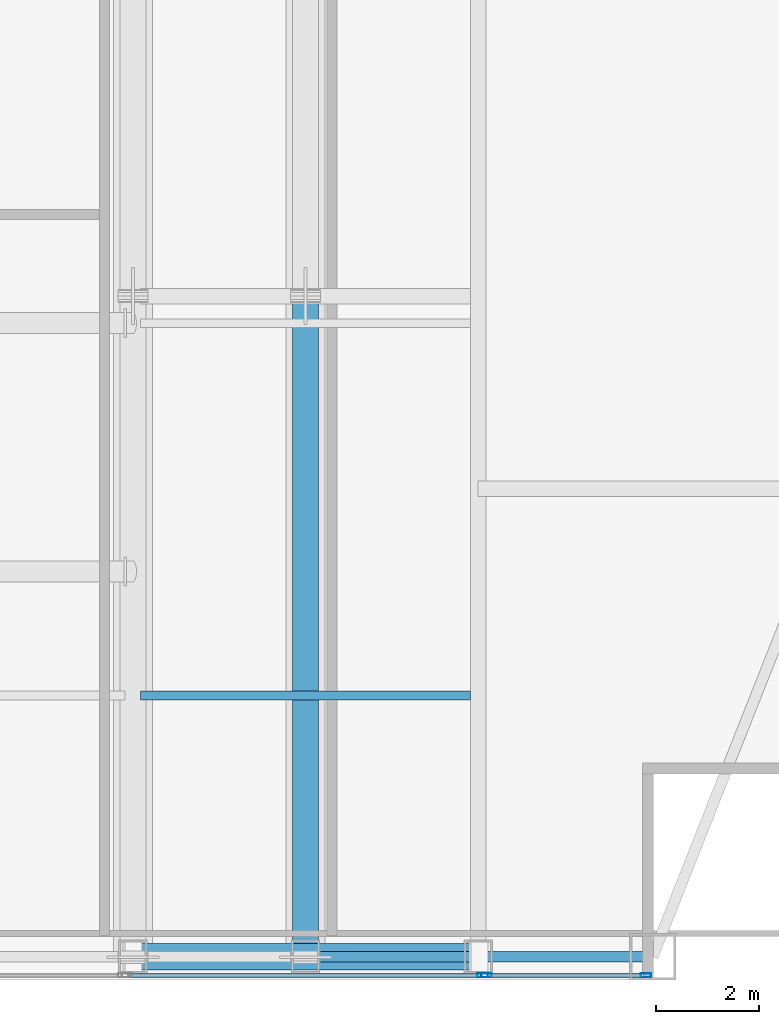
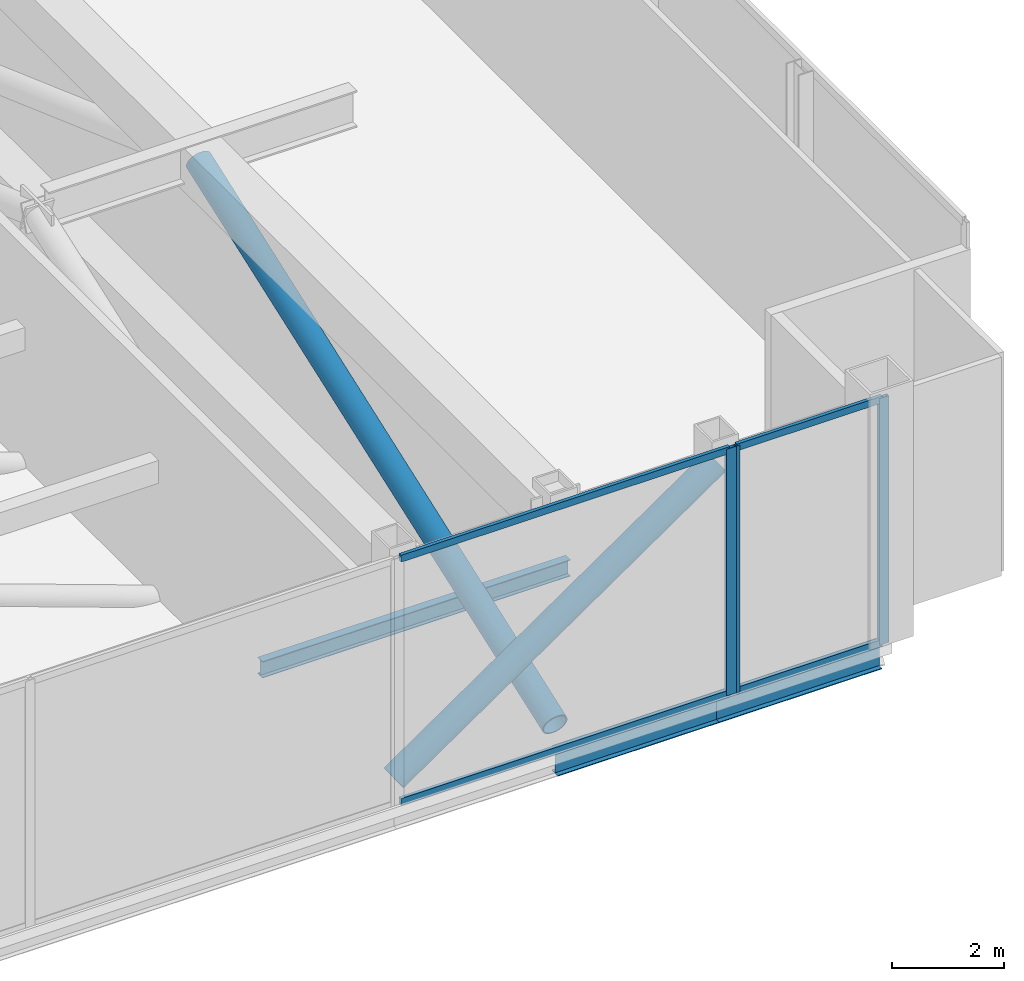
# One storey, part 13 of 26: 9 members, 3 beams, 2 elements without a shape of their own.
"""IFC4 building model written with IfcOpenShell, lengths in metres."""

from ifc_helpers import new_model, si_unit, direction, frame, origin, origin_2d, place, context, subcontext, project, spatial, hollow_rectangle, hollow_circle, i_section, extrude, material, material_profile, profile_set, type_object, element, aggregate, save


model = new_model("IFC4")

# Units and contexts
model_context = context("Model", 3, precision=1e-05, world=origin(), true_north=direction((0.0, 1.0)))
body_context = subcontext(model_context, "Body", "Model", "MODEL_VIEW")
ifc_project = project(units=[si_unit("LENGTHUNIT", "METRE"), si_unit("AREAUNIT", "SQUARE_METRE"), si_unit("VOLUMEUNIT", "CUBIC_METRE"), si_unit("PLANEANGLEUNIT", "RADIAN"), si_unit("MASSUNIT", "GRAM", prefix="KILO")], contexts=[model_context])

# Site, building, storey
site_placement = place(None, origin())
site = spatial("IfcSite", under=ifc_project, at=site_placement, CompositionType="ELEMENT")
building_placement = place(site_placement, origin())
building = spatial("IfcBuilding", under=site, at=building_placement, Name="Khoronbel Lancet Exchange", CompositionType="ELEMENT")
storey_placement = place(building_placement, frame((0.0, 0.0, 350.60009765625)))
storey = spatial("IfcBuildingStorey", under=building, at=storey_placement, Name="L91", CompositionType="ELEMENT", Elevation=350.60009765625)

# Beams
ifc_material_1 = material(Name="Steel S355", Category="steel")
ifc_material_profile_1 = material_profile(ifc_material_1, i_section(OverallWidth=0.169921875, OverallDepth=0.360107421875, WebThickness=0.008056640625, FlangeThickness=0.0126953125, at=origin_2d()), Name="IPE 360")
ifc_profile_set_1 = profile_set([ifc_material_profile_1], Name="Steel S355")
beam_type_1 = type_object("IfcBeamType", Name="BM-BJ6", PredefinedType="JOIST", material=ifc_profile_set_1)
beam_1_placement = place(storey_placement, frame((48.14990234375, 15.199951171875, -0.400146484375), z_axis=(1.0, 0.0, 0.0), x_axis=(0.0, 1.0, 0.0)))
element("IfcBeam", 1, at=beam_1_placement, inside=storey, type_object=beam_type_1, Name="Level L91 secondary composite joist J03", PredefinedType="JOIST", context=body_context, shape_type="SweptSolid", body=[
    extrude(i_section(OverallWidth=0.169921875, OverallDepth=0.360107421875, WebThickness=0.008056640625, FlangeThickness=0.0126953125, at=origin_2d()), origin(), (0.0, 0.0, 1.0), 6.375),
])
ifc_material_profile_2 = material_profile(ifc_material_1, i_section(OverallWidth=0.2099609375, OverallDepth=0.550048828125, WebThickness=0.010986328125, FlangeThickness=0.01708984375, at=origin_2d()), Name="IPE 550")
ifc_profile_set_2 = profile_set([ifc_material_profile_2], Name="Steel S355")
beam_type_2 = type_object("IfcBeamType", Name="BM-BSP3", PredefinedType="SPANDREL", material=ifc_profile_set_2)
beam_2_placement = place(storey_placement, frame((51.33740234375, 10.14990234375, -0.4951171875), z_axis=(1.0, 0.0, 0.0), x_axis=(0.0, 1.0, 0.0)))
element("IfcBeam", 2, at=beam_2_placement, inside=storey, type_object=beam_type_2, Name="Level L91 perimeter spandrel beam SP06", PredefinedType="SPANDREL", context=body_context, shape_type="SweptSolid", body=[
    extrude(i_section(OverallWidth=0.2099609375, OverallDepth=0.550048828125, WebThickness=0.010986328125, FlangeThickness=0.01708984375, at=origin_2d()), origin(), (0.0, 0.0, 1.0), 3.337646484375),
])
beam_3_placement = place(storey_placement, frame((54.675048828125, 10.14990234375, -0.4951171875), z_axis=(1.0, 0.0, 0.0), x_axis=(0.0, 1.0, 0.0)))
element("IfcBeam", 3, at=beam_3_placement, inside=storey, type_object=beam_type_2, Name="Level L91 perimeter spandrel beam SP07", PredefinedType="SPANDREL", context=body_context, shape_type="SweptSolid", body=[
    extrude(i_section(OverallWidth=0.2099609375, OverallDepth=0.550048828125, WebThickness=0.010986328125, FlangeThickness=0.01708984375, at=origin_2d()), origin(), (0.0, 0.0, 1.0), 3.375),
])

# Curtain wall, member
ifc_material_2 = material(Name="Low-E Solar Control Insulating Glass", Category="glass")
curtain_wall_type = type_object("IfcCurtainWallType", Name="CW-6", PredefinedType="NOTDEFINED", material=ifc_material_2)
curtain_wall_1_placement = place(storey_placement, origin())
curtain_wall_1 = element("IfcCurtainWall", 4, at=curtain_wall_1_placement, inside=storey, type_object=curtain_wall_type, Name="Unitised curtain wall CW-L91-SE-BLT", PredefinedType="NOTDEFINED")
ifc_material_3 = material(Name="Bronze-Anodised Aluminium 6063-T6", Category="aluminium")
ifc_material_profile_3 = material_profile(ifc_material_3, hollow_rectangle(XDim=0.074951171875, YDim=0.199951171875, WallThickness=0.0048828125, at=origin_2d()), Name="ALU MULLION 75x200")
ifc_profile_set_3 = profile_set([ifc_material_profile_3], Name="Bronze-Anodised Aluminium 6063-T6")
member_type_1 = type_object("IfcMemberType", Name="MEM-CWM2", PredefinedType="MULLION", material=ifc_profile_set_3)
member_1_placement = place(storey_placement, frame((54.762451171875, 9.7900390625, 0.0), z_axis=(0.0, 0.0, 1.0), x_axis=(0.0, 1.0, 0.0)))
member_1 = element("IfcMember", 5, at=member_1_placement, type_object=member_type_1, Name="CW6 mullion 2", PredefinedType="MULLION", context=body_context, shape_type="SweptSolid", body=[
    extrude(hollow_rectangle(XDim=0.074951171875, YDim=0.199951171875, WallThickness=0.0048828125, at=origin_2d()), origin(), (0.0, 0.0, 1.0), 5.39990234375),
])

# Curtain wall, members
curtain_wall_2_placement = place(storey_placement, origin())
curtain_wall_2 = element("IfcCurtainWall", 6, at=curtain_wall_2_placement, inside=storey, type_object=curtain_wall_type, Name="Unitised curtain wall CW-L91-SE-GLZ", PredefinedType="NOTDEFINED")
member_2_placement = place(storey_placement, frame((54.83740234375, 9.7900390625, 0.0), z_axis=(0.0, 0.0, 1.0), x_axis=(0.0, 1.0, 0.0)))
member_2 = element("IfcMember", 7, at=member_2_placement, type_object=member_type_1, Name="CW6 mullion 1", PredefinedType="MULLION", context=body_context, shape_type="SweptSolid", body=[
    extrude(hollow_rectangle(XDim=0.074951171875, YDim=0.199951171875, WallThickness=0.0048828125, at=origin_2d()), origin(), (0.0, 0.0, 1.0), 5.39990234375),
])
member_3_placement = place(storey_placement, frame((57.922607421875, 9.7900390625, 0.0), z_axis=(0.0, 0.0, 1.0), x_axis=(0.0, 1.0, 0.0)))
member_3 = element("IfcMember", 8, at=member_3_placement, type_object=member_type_1, Name="CW6 mullion 2", PredefinedType="MULLION", context=body_context, shape_type="SweptSolid", body=[
    extrude(hollow_rectangle(XDim=0.074951171875, YDim=0.199951171875, WallThickness=0.0048828125, at=origin_2d()), origin(), (0.0, 0.0, 1.0), 5.39990234375),
])

# Member
ifc_material_profile_4 = material_profile(ifc_material_3, hollow_rectangle(XDim=0.074951171875, YDim=0.14990234375, WallThickness=0.00439453125, at=origin_2d()), Name="ALU TRANSOM 75x150")
ifc_profile_set_4 = profile_set([ifc_material_profile_4], Name="Bronze-Anodised Aluminium 6063-T6")
member_type_2 = type_object("IfcMemberType", Name="MEM-CWT2", PredefinedType="USERDEFINED", material=ifc_profile_set_4)
member_4_placement = place(storey_placement, frame((47.925048828125, 9.7900390625, 0.037353515625), z_axis=(1.0, 0.0, 0.0), x_axis=(0.0, 1.0, 0.0)))
member_4 = element("IfcMember", 9, at=member_4_placement, type_object=member_type_2, Name="CW6 transom 1.1", ObjectType="TRANSOM", PredefinedType="USERDEFINED", context=body_context, shape_type="SweptSolid", body=[
    extrude(hollow_rectangle(XDim=0.074951171875, YDim=0.14990234375, WallThickness=0.00439453125, at=origin_2d()), origin(), (0.0, 0.0, 1.0), 6.800048828125),
])

member_5_placement = place(storey_placement, frame((47.925048828125, 9.7900390625, 5.3623046875), z_axis=(1.0, 0.0, 0.0), x_axis=(0.0, 1.0, 0.0)))
member_5 = element("IfcMember", 10, at=member_5_placement, type_object=member_type_2, Name="CW6 transom 1.2", ObjectType="TRANSOM", PredefinedType="USERDEFINED", context=body_context, shape_type="SweptSolid", body=[
    extrude(hollow_rectangle(XDim=0.074951171875, YDim=0.14990234375, WallThickness=0.00439453125, at=origin_2d()), origin(), (0.0, 0.0, 1.0), 6.800048828125),
])

aggregate(curtain_wall_1, [member_1, member_4, member_5])

member_6_placement = place(storey_placement, frame((54.875, 9.7900390625, 0.037353515625), z_axis=(1.0, 0.0, 0.0), x_axis=(0.0, 1.0, 0.0)))
member_6 = element("IfcMember", 11, at=member_6_placement, type_object=member_type_2, Name="CW6 transom 1.1", ObjectType="TRANSOM", PredefinedType="USERDEFINED", context=body_context, shape_type="SweptSolid", body=[
    extrude(hollow_rectangle(XDim=0.074951171875, YDim=0.14990234375, WallThickness=0.00439453125, at=origin_2d()), origin(), (0.0, 0.0, 1.0), 3.010009765625),
])

member_7_placement = place(storey_placement, frame((54.875, 9.7900390625, 5.3623046875), z_axis=(1.0, 0.0, 0.0), x_axis=(0.0, 1.0, 0.0)))
member_7 = element("IfcMember", 12, at=member_7_placement, type_object=member_type_2, Name="CW6 transom 1.2", ObjectType="TRANSOM", PredefinedType="USERDEFINED", context=body_context, shape_type="SweptSolid", body=[
    extrude(hollow_rectangle(XDim=0.074951171875, YDim=0.14990234375, WallThickness=0.00439453125, at=origin_2d()), origin(), (0.0, 0.0, 1.0), 3.010009765625),
])

aggregate(curtain_wall_2, [member_2, member_3, member_6, member_7])

# Members
ifc_material_4 = material(Name="Steel S460", Category="steel")
ifc_material_profile_5 = material_profile(ifc_material_4, hollow_circle(Radius=0.25390625, WallThickness=0.02490234375, at=origin_2d()), Name="CHS 508x25")
ifc_profile_set_5 = profile_set([ifc_material_profile_5], Name="Steel S460")
member_type_3 = type_object("IfcMemberType", Name="MEM-OBR2", PredefinedType="BRACE", material=ifc_profile_set_5)
member_8_placement = place(storey_placement, frame((51.33740234375, 10.14990234375, 0.2998046875), z_axis=(0.0, 0.940862883664, 0.338787594435), x_axis=(-1.0, 0.0, 0.0)))
element("IfcMember", 13, at=member_8_placement, inside=storey, type_object=member_type_3, Name="Outrigger truss diagonal L91-4-1", PredefinedType="BRACE", context=body_context, shape_type="SweptSolid", body=[
    extrude(hollow_circle(Radius=0.25390625, WallThickness=0.02490234375, at=origin_2d()), origin(), (0.0, 0.0, 1.0), 13.578125),
])
member_9_placement = place(storey_placement, frame((48.0, 10.14990234375, 0.2998046875), z_axis=(0.823407849703, 0.0, 0.567450009294), x_axis=(0.0, 1.0, 0.0)))
element("IfcMember", 14, at=member_9_placement, inside=storey, type_object=member_type_3, Name="Perimeter belt-truss diagonal L91-2", PredefinedType="BRACE", context=body_context, shape_type="SweptSolid", body=[
    extrude(hollow_circle(Radius=0.25390625, WallThickness=0.02490234375, at=origin_2d()), origin(), (0.0, 0.0, 1.0), 8.106689453125),
])

save(model, "model.ifc")
